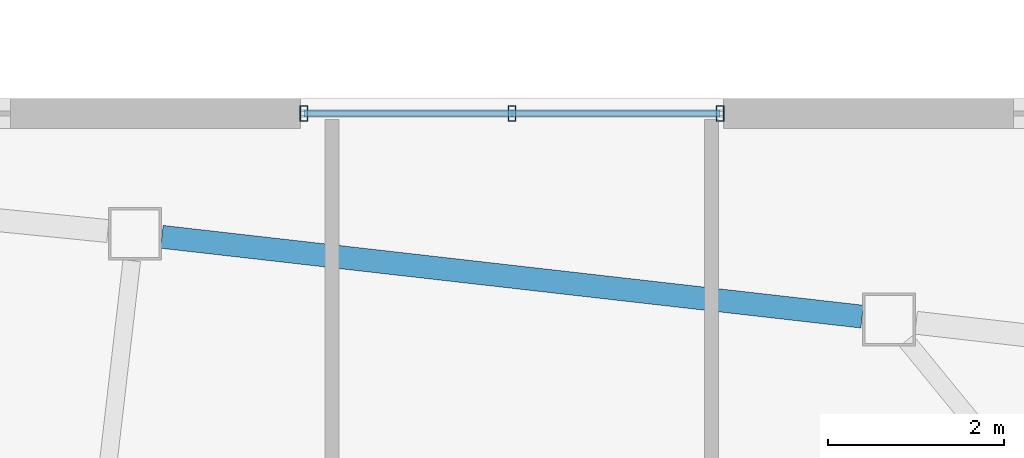
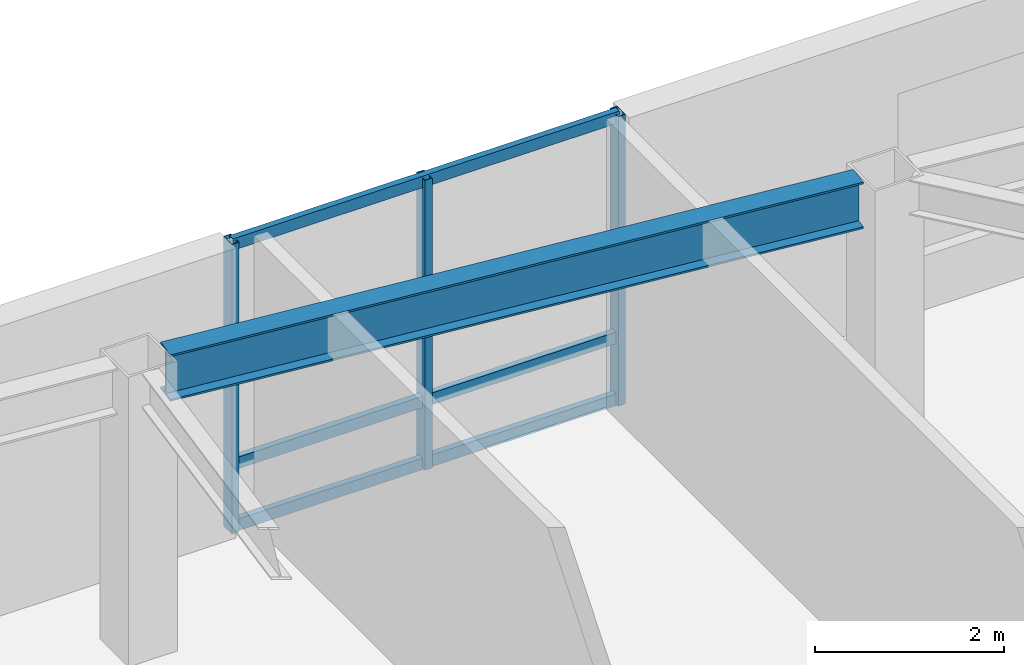
# One storey, part 8 of 18: 6 members, 1 beam, 1 element without a shape of its own.
"""IFC4 building model written with IfcOpenShell, lengths in metres."""

from ifc_helpers import new_model, si_unit, direction, frame, origin, origin_2d, place, context, subcontext, project, spatial, hollow_rectangle, i_section, extrude, material, layer, layer_set, material_profile, profile_set, type_object, element, aggregate, save


model = new_model("IFC4")

# Units and contexts
model_context = context("Model", 3, precision=1e-05, world=origin(), true_north=direction((0.0, 1.0)))
body_context = subcontext(model_context, "Body", "Model", "MODEL_VIEW")
ifc_project = project(units=[si_unit("LENGTHUNIT", "METRE"), si_unit("AREAUNIT", "SQUARE_METRE"), si_unit("VOLUMEUNIT", "CUBIC_METRE"), si_unit("PLANEANGLEUNIT", "RADIAN"), si_unit("MASSUNIT", "GRAM", prefix="KILO")], contexts=[model_context])

# Site, building, storey
site_placement = place(None, origin())
site = spatial("IfcSite", under=ifc_project, at=site_placement, CompositionType="ELEMENT")
building_placement = place(site_placement, origin())
building = spatial("IfcBuilding", under=site, at=building_placement, Name="Tavrogorsk Clinical Tower", CompositionType="ELEMENT")
storey_placement = place(building_placement, frame((0.0, 0.0, 168.199951171875)))
storey = spatial("IfcBuildingStorey", under=building, at=storey_placement, Name="L38", CompositionType="ELEMENT", Elevation=168.199951171875)

# Curtain wall, members
ifc_material_1 = material(Name="Anodised aluminium and triple IGU glazing", Category="aluminium")
ifc_layer = layer(ifc_material_1, 0.179931640625)
ifc_layer_set = layer_set([ifc_layer], Name="Anodised aluminium and triple IGU glazing")
curtain_wall_type = type_object("IfcCurtainWallType", Name="CW2_NorthSlot", PredefinedType="NOTDEFINED", material=ifc_layer_set)
curtain_wall_placement = place(storey_placement, origin())
curtain_wall = element("IfcCurtainWall", 1, at=curtain_wall_placement, inside=storey, type_object=curtain_wall_type, Name="L38 Curtain Wall CW-L38-N-SLOT-2", PredefinedType="NOTDEFINED")
ifc_material_2 = material(Name="Anodised aluminium alloy AW-6060", Category="aluminium")
ifc_material_profile_1 = material_profile(ifc_material_2, hollow_rectangle(XDim=0.090087890625, YDim=0.179931640625, WallThickness=0.00634765625, at=origin_2d()), Name="RHS-180x90x6.3")
ifc_profile_set_1 = profile_set([ifc_material_profile_1], Name="Anodised aluminium alloy AW-6060")
member_type_1 = type_object("IfcMemberType", Name="CwMullion_180x90", PredefinedType="MULLION", material=ifc_profile_set_1)
member_1_placement = place(storey_placement, frame((13.26904296875, 26.929931640625, 0.0), z_axis=(0.0, 0.0, 1.0), x_axis=(-1.0, 0.0, 0.0)))
member_1 = element("IfcMember", 2, at=member_1_placement, type_object=member_type_1, Name="CW-L38-N-SLOT-2 Mullion 1", PredefinedType="MULLION", context=body_context, shape_type="SweptSolid", body=[
    extrude(hollow_rectangle(XDim=0.090087890625, YDim=0.179931640625, WallThickness=0.00634765625, at=origin_2d()), origin(), (0.0, 0.0, 1.0), 3.739990234375),
])
member_2_placement = place(storey_placement, frame((10.91015625, 26.929931640625, 0.0), z_axis=(0.0, 0.0, 1.0), x_axis=(-1.0, 0.0, 0.0)))
member_2 = element("IfcMember", 3, at=member_2_placement, type_object=member_type_1, Name="CW-L38-N-SLOT-2 Mullion 2", PredefinedType="MULLION", context=body_context, shape_type="SweptSolid", body=[
    extrude(hollow_rectangle(XDim=0.090087890625, YDim=0.179931640625, WallThickness=0.00634765625, at=origin_2d()), origin(), (0.0, 0.0, 1.0), 3.739990234375),
])
member_3_placement = place(storey_placement, frame((8.551025390625, 26.929931640625, 0.0), z_axis=(0.0, 0.0, 1.0), x_axis=(-1.0, 0.0, 0.0)))
member_3 = element("IfcMember", 4, at=member_3_placement, type_object=member_type_1, Name="CW-L38-N-SLOT-2 Mullion 3", PredefinedType="MULLION", context=body_context, shape_type="SweptSolid", body=[
    extrude(hollow_rectangle(XDim=0.090087890625, YDim=0.179931640625, WallThickness=0.00634765625, at=origin_2d()), origin(), (0.0, 0.0, 1.0), 3.739990234375),
])
ifc_material_3 = material(Name="Anodised aluminium alloy AW-6060", Category="aluminium")
ifc_material_profile_2 = material_profile(ifc_material_3, hollow_rectangle(XDim=0.074951171875, YDim=0.14990234375, WallThickness=0.0048828125, at=origin_2d()), Name="RHS-150x75x5")
ifc_profile_set_2 = profile_set([ifc_material_profile_2], Name="Anodised aluminium alloy AW-6060")
member_type_2 = type_object("IfcMemberType", Name="CwTransom_150x75", PredefinedType="USERDEFINED", material=ifc_profile_set_2)
member_4_placement = place(storey_placement, frame((13.26904296875, 26.929931640625, 0.050048828125), z_axis=(-1.0, 0.0, 0.0), x_axis=(0.0, -1.0, 0.0)))
member_4 = element("IfcMember", 5, at=member_4_placement, type_object=member_type_2, Name="CW-L38-N-SLOT-2 Transom 1", ObjectType="TRANSOM", PredefinedType="USERDEFINED", context=body_context, shape_type="SweptSolid", body=[
    extrude(hollow_rectangle(XDim=0.074951171875, YDim=0.14990234375, WallThickness=0.0048828125, at=origin_2d()), origin(), (0.0, 0.0, 1.0), 4.718017578125),
])
member_5_placement = place(storey_placement, frame((13.26904296875, 26.929931640625, 0.85009765625), z_axis=(-1.0, 0.0, 0.0), x_axis=(0.0, -1.0, 0.0)))
member_5 = element("IfcMember", 6, at=member_5_placement, type_object=member_type_2, Name="CW-L38-N-SLOT-2 Transom 2", ObjectType="TRANSOM", PredefinedType="USERDEFINED", context=body_context, shape_type="SweptSolid", body=[
    extrude(hollow_rectangle(XDim=0.074951171875, YDim=0.14990234375, WallThickness=0.0048828125, at=origin_2d()), origin(), (0.0, 0.0, 1.0), 4.718017578125),
])
member_6_placement = place(storey_placement, frame((13.26904296875, 26.929931640625, 3.68994140625), z_axis=(-1.0, 0.0, 0.0), x_axis=(0.0, -1.0, 0.0)))
member_6 = element("IfcMember", 7, at=member_6_placement, type_object=member_type_2, Name="CW-L38-N-SLOT-2 Transom 3", ObjectType="TRANSOM", PredefinedType="USERDEFINED", context=body_context, shape_type="SweptSolid", body=[
    extrude(hollow_rectangle(XDim=0.074951171875, YDim=0.14990234375, WallThickness=0.0048828125, at=origin_2d()), origin(), (0.0, 0.0, 1.0), 4.718017578125),
])
aggregate(curtain_wall, [member_1, member_2, member_3, member_4, member_5, member_6])

# Beam
ifc_material_4 = material(Name="Structural steel S390", Category="steel")
ifc_material_profile_3 = material_profile(ifc_material_4, i_section(OverallWidth=0.260009765625, OverallDepth=0.60009765625, WebThickness=0.014892578125, FlangeThickness=0.02392578125, at=origin_2d()), Name="B-600x260x15x24")
ifc_profile_set_3 = profile_set([ifc_material_profile_3], Name="Structural steel S390")
beam_type = type_object("IfcBeamType", Name="SpandrelBeam_B600", PredefinedType="SPANDREL", material=ifc_profile_set_3)
beam_placement = place(storey_placement, frame((14.8798828125, 24.626953125, 3.43994140625), z_axis=(-0.993569449752, 0.113224328304, 0.0), x_axis=(-0.113224328304, -0.993569449752, 0.0)))
element("IfcBeam", 8, at=beam_placement, inside=storey, type_object=beam_type, Name="L38 Perimeter Spandrel N3-N4", PredefinedType="SPANDREL", context=body_context, shape_type="SweptSolid", body=[
    extrude(i_section(OverallWidth=0.260009765625, OverallDepth=0.60009765625, WebThickness=0.014892578125, FlangeThickness=0.02392578125, at=origin_2d()), origin(), (0.0, 0.0, 1.0), 7.990966796875),
])

save(model, "model.ifc")
